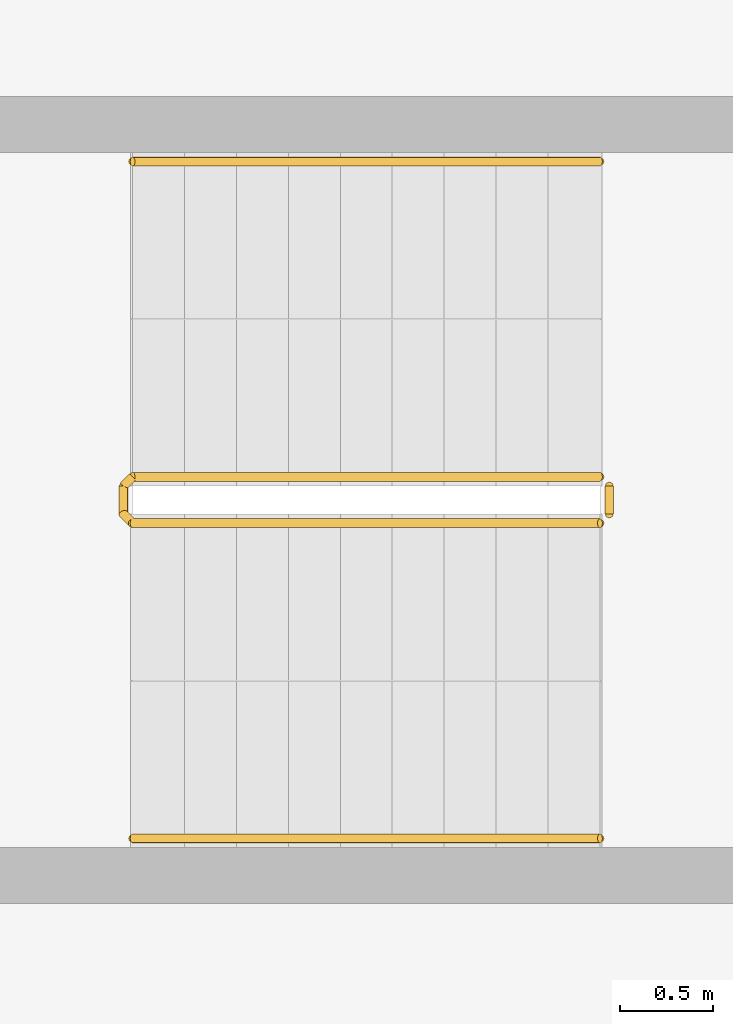
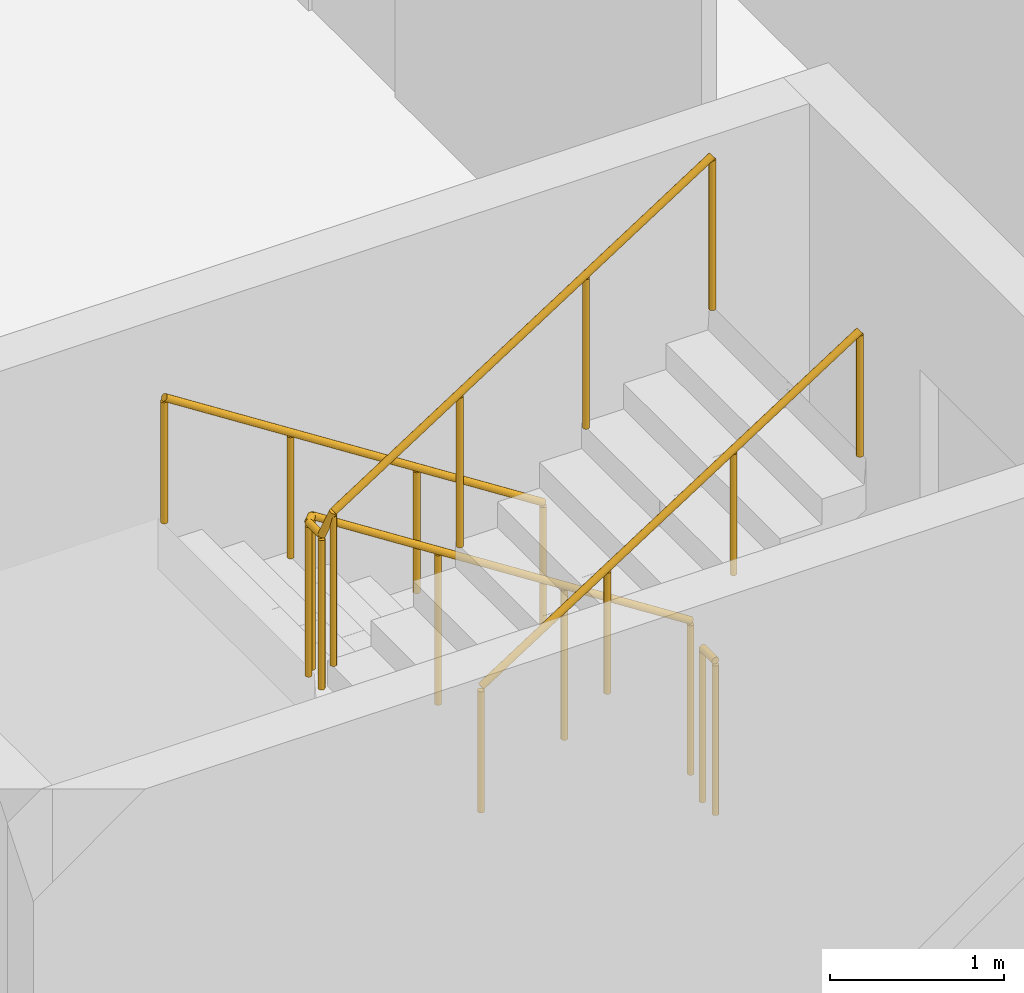
# One storey, part 25 of 28: 4 railings.
"""IFC4 building model written with IfcOpenShell, lengths in metres."""

from ifc_helpers import new_model, si_unit, direction, frame, origin, origin_2d, place, context, subcontext, project, spatial, circle, extrude, material, type_object, element, save


model = new_model("IFC4")

# Units and contexts
model_context = context("Model", 3, precision=1e-05, world=origin(), true_north=direction((0.0, 1.0)))
body_context = subcontext(model_context, "Body", "Model", "MODEL_VIEW")
ifc_project = project(units=[si_unit("LENGTHUNIT", "METRE"), si_unit("AREAUNIT", "SQUARE_METRE"), si_unit("VOLUMEUNIT", "CUBIC_METRE"), si_unit("PLANEANGLEUNIT", "RADIAN"), si_unit("MASSUNIT", "GRAM", prefix="KILO")], contexts=[model_context])

# Site, building, storey
site_placement = place(None, origin())
site = spatial("IfcSite", under=ifc_project, at=site_placement, CompositionType="ELEMENT")
building_placement = place(site_placement, origin())
building = spatial("IfcBuilding", under=site, at=building_placement, Name="Wharfspan Tower", CompositionType="ELEMENT")
storey_placement = place(building_placement, frame((0.0, 0.0, 52.300049)))
storey = spatial("IfcBuildingStorey", under=building, at=storey_placement, Name="L09", CompositionType="ELEMENT", Elevation=52.300049)

# Railings
ifc_material = material(Name="Steel S355J2", Category="steel")
railing_type_1 = type_object("IfcRailingType", Name="Stair guard 1100", PredefinedType="GUARDRAIL", material=ifc_material)
railing_1_placement = place(storey_placement, frame((6.899902, 22.625, 0.179932)))
element("IfcRailing", 1, at=railing_1_placement, inside=storey, type_object=railing_type_1, Name="L09 ST3 stair guard 1", PredefinedType="GUARDRAIL", context=body_context, shape_type="SweptSolid", body=[
    extrude(circle(Radius=0.023926, at=origin_2d()), frame((0.0, 0.0, 1.076172), z_axis=(-0.841163, 0.0, 0.540782), x_axis=(0.0, -1.0, 0.0)), (0.0, 0.0, 1.0), 2.99585),
    extrude(circle(Radius=0.023926, at=origin_2d()), frame((-2.52002, 0.0, 2.696289), z_axis=(-0.705376, -0.708834, 0.0), x_axis=(0.708834, -0.705376, 0.0)), (0.0, 0.0, 1.0), 0.070557),
    extrude(circle(Radius=0.023926, at=origin_2d()), frame((-2.569824, -0.050049, 2.696289), z_axis=(0.0, -1.0, 0.0), x_axis=(1.0, 0.0, 0.0)), (0.0, 0.0, 1.0), 0.149902),
    extrude(circle(Radius=0.023926, at=origin_2d()), frame((-2.569824, -0.199951, 2.696289), z_axis=(0.257669, -0.258932, 0.930892), x_axis=(0.708833, 0.705372, -1e-06)), (0.0, 0.0, 1.0), 0.193359),
    extrude(circle(Radius=0.023926, at=origin_2d()), frame((-2.52002, -0.25, 2.875977), z_axis=(0.8412, 0.0, 0.540725), x_axis=(0.0, 1.0, 0.0)), (0.0, 0.0, 1.0), 2.99585),
    extrude(circle(Radius=0.020996, at=origin_2d()), origin(), (0.0, 0.0, 1.0), 1.052002),
    extrude(circle(Radius=0.020996, at=origin_2d()), frame((-0.840088, 0.0, 0.540039)), (0.0, 0.0, 1.0), 1.052002),
    extrude(circle(Radius=0.020996, at=origin_2d()), frame((-1.679932, 0.0, 1.080078)), (0.0, 0.0, 1.0), 1.052002),
    extrude(circle(Radius=0.020996, at=origin_2d()), frame((-2.52002, 0.0, 1.620117)), (0.0, 0.0, 1.0), 1.052002),
    extrude(circle(Radius=0.020996, at=origin_2d()), frame((-2.569824, -0.050049, 1.620117)), (0.0, 0.0, 1.0), 1.052002),
    extrude(circle(Radius=0.020996, at=origin_2d()), frame((-2.569824, -0.199951, 1.620117)), (0.0, 0.0, 1.0), 1.052002),
    extrude(circle(Radius=0.020996, at=origin_2d()), frame((-2.52002, -0.25, 1.800049)), (0.0, 0.0, 1.0), 1.052002),
    extrude(circle(Radius=0.020996, at=origin_2d()), frame((-1.679932, -0.25, 2.340088)), (0.0, 0.0, 1.0), 1.052002),
    extrude(circle(Radius=0.020996, at=origin_2d()), frame((-0.840088, -0.25, 2.879883)), (0.0, 0.0, 1.0), 1.052002),
    extrude(circle(Radius=0.020996, at=origin_2d()), frame((0.0, -0.25, 3.419922)), (0.0, 0.0, 1.0), 1.052002),
])
railing_2_placement = place(storey_placement, frame((6.949951, 22.574951, 0.0)))
element("IfcRailing", 2, at=railing_2_placement, inside=storey, type_object=railing_type_1, Name="L09 ST3 stair guard 2", PredefinedType="GUARDRAIL", context=body_context, shape_type="SweptSolid", body=[
    extrude(circle(Radius=0.023926, at=origin_2d()), frame((0.0, 0.0, 1.076172), z_axis=(0.0, -1.0, 0.0), x_axis=(1.0, 0.0, 0.0)), (0.0, 0.0, 1.0), 0.149902),
    extrude(circle(Radius=0.020996, at=origin_2d()), origin(), (0.0, 0.0, 1.0), 1.052002),
    extrude(circle(Radius=0.020996, at=origin_2d()), frame((0.0, -0.149902, 0.0)), (0.0, 0.0, 1.0), 1.052002),
])
railing_type_2 = type_object("IfcRailingType", Name="Stair handrail 900", PredefinedType="HANDRAIL", material=ifc_material)
railing_3_placement = place(storey_placement, frame((6.899902, 24.324951, 0.179932)))
element("IfcRailing", 3, at=railing_3_placement, inside=storey, type_object=railing_type_2, Name="L09 ST3 stair handrail 1", PredefinedType="HANDRAIL", context=body_context, shape_type="SweptSolid", body=[
    extrude(circle(Radius=0.023926, at=origin_2d()), frame((0.0, 0.0, 0.875977), z_axis=(-0.841163, 0.0, 0.540782), x_axis=(0.0, -1.0, 0.0)), (0.0, 0.0, 1.0), 2.99585),
    extrude(circle(Radius=0.020996, at=origin_2d()), origin(), (0.0, 0.0, 1.0), 0.851807),
    extrude(circle(Radius=0.020996, at=origin_2d()), frame((-0.840088, 0.0, 0.540039)), (0.0, 0.0, 1.0), 0.851807),
    extrude(circle(Radius=0.020996, at=origin_2d()), frame((-1.679932, 0.0, 1.080078)), (0.0, 0.0, 1.0), 0.851807),
    extrude(circle(Radius=0.020996, at=origin_2d()), frame((-2.52002, 0.0, 1.620117)), (0.0, 0.0, 1.0), 0.851807),
])
railing_4_placement = place(storey_placement, frame((4.379883, 20.675049, 1.97998)))
element("IfcRailing", 4, at=railing_4_placement, inside=storey, type_object=railing_type_2, Name="L09 ST3 stair handrail 2", PredefinedType="HANDRAIL", context=body_context, shape_type="SweptSolid", body=[
    extrude(circle(Radius=0.023926, at=origin_2d()), frame((0.0, 0.0, 0.875977), z_axis=(0.8412, 0.0, 0.540725), x_axis=(0.0, 1.0, 0.0)), (0.0, 0.0, 1.0), 2.99585),
    extrude(circle(Radius=0.020996, at=origin_2d()), origin(), (0.0, 0.0, 1.0), 0.851807),
    extrude(circle(Radius=0.020996, at=origin_2d()), frame((0.840088, 0.0, 0.540039)), (0.0, 0.0, 1.0), 0.851807),
    extrude(circle(Radius=0.020996, at=origin_2d()), frame((1.679932, 0.0, 1.079834)), (0.0, 0.0, 1.0), 0.851807),
    extrude(circle(Radius=0.020996, at=origin_2d()), frame((2.52002, 0.0, 1.619873)), (0.0, 0.0, 1.0), 0.851807),
])

save(model, "model.ifc")
